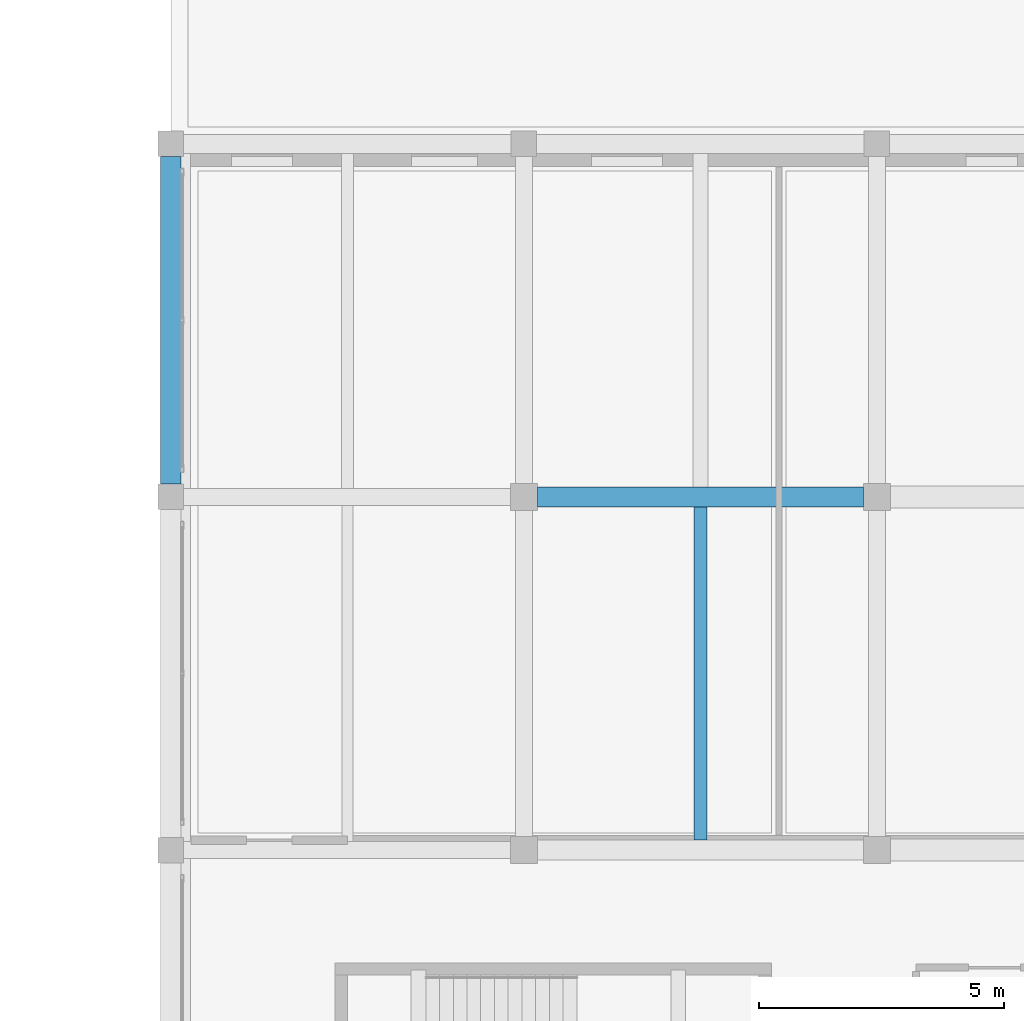
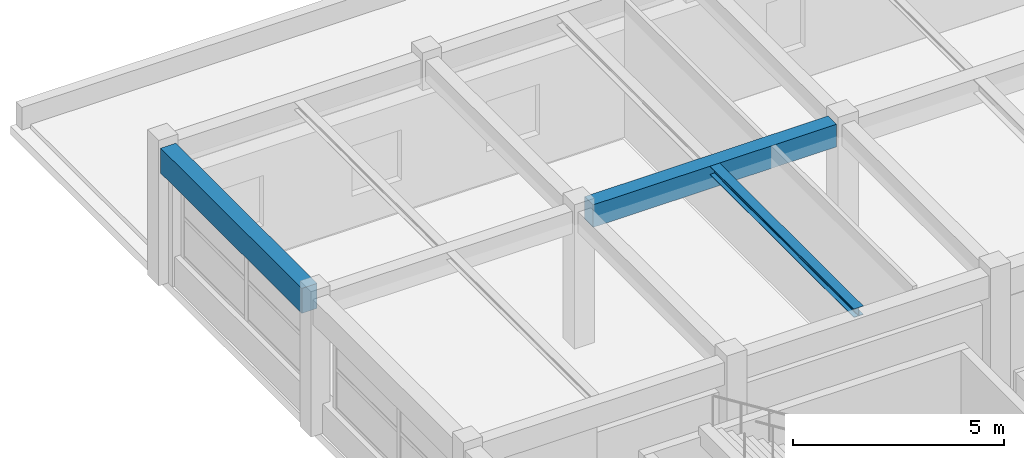
# One storey, part 37 of 67: 3 beams.
"""IFC4 building model written with IfcOpenShell, lengths in metres."""

from ifc_helpers import new_model, si_unit, direction, frame, origin, origin_2d, place, context, subcontext, project, spatial, rectangle, i_section, extrude, material, material_profile, profile_set, type_object, element, save


model = new_model("IFC4")

# Units and contexts
model_context = context("Model", 3, precision=1e-05, world=origin(), true_north=direction((0.0, 1.0)))
body_context = subcontext(model_context, "Body", "Model", "MODEL_VIEW")
ifc_project = project(units=[si_unit("LENGTHUNIT", "METRE"), si_unit("AREAUNIT", "SQUARE_METRE"), si_unit("VOLUMEUNIT", "CUBIC_METRE"), si_unit("PLANEANGLEUNIT", "RADIAN"), si_unit("MASSUNIT", "GRAM", prefix="KILO")], contexts=[model_context])

# Site, building, storey
site_placement = place(None, origin())
site = spatial("IfcSite", under=ifc_project, at=site_placement, CompositionType="ELEMENT")
building_placement = place(site_placement, origin())
building = spatial("IfcBuilding", under=site, at=building_placement, Name="Bramveld Media Centre", CompositionType="ELEMENT")
storey_placement = place(building_placement, frame((0.0, 0.0, 5.39990234375)))
storey = spatial("IfcBuildingStorey", under=building, at=storey_placement, Name="L01", CompositionType="ELEMENT", Elevation=5.39990234375)

# Beams
ifc_material_1 = material(Name="Concrete C40/50", Category="concrete")
ifc_material_profile_1 = material_profile(ifc_material_1, rectangle(XDim=0.39990234375, YDim=0.64990234375, at=origin_2d()), Name="RC 400x650")
ifc_profile_set_1 = profile_set([ifc_material_profile_1], Name="Concrete C40/50")
beam_type_1 = type_object("IfcBeamType", Name="BM-INT-RC-400x650", PredefinedType="BEAM", material=ifc_profile_set_1)
beam_1_placement = place(storey_placement, frame((138.675048828125, 53.60009765625, 3.635009765625), z_axis=(1.0, 0.0, 0.0), x_axis=(0.0, 1.0, 0.0)))
element("IfcBeam", 1, at=beam_1_placement, inside=storey, type_object=beam_type_1, Name="V4 L01 girder X-528", PredefinedType="BEAM", context=body_context, shape_type="SweptSolid", body=[
    extrude(rectangle(XDim=0.39990234375, YDim=0.64990234375, at=origin_2d()), origin(), (0.0, 0.0, 1.0), 6.64990234375),
])
ifc_material_2 = material(Name="Steel S355J2", Category="steel")
ifc_material_profile_2 = material_profile(ifc_material_2, i_section(OverallWidth=0.260009765625, OverallDepth=0.25, WebThickness=0.007568359375, FlangeThickness=0.012451171875, FilletRadius=0.02392578125, at=origin_2d()), Name="HEA 260")
ifc_profile_set_2 = profile_set([ifc_material_profile_2], Name="Steel S355J2")
beam_type_2 = type_object("IfcBeamType", Name="SBM-INT-HEA-260", PredefinedType="BEAM", material=ifc_profile_set_2)
beam_2_placement = place(storey_placement, frame((142.0, 46.60009765625, 3.835205078125), z_axis=(0.0, 1.0, 0.0), x_axis=(-1.0, 0.0, 0.0)))
element("IfcBeam", 2, at=beam_2_placement, inside=storey, type_object=beam_type_2, Name="V4 L01 secondary floor joist 555", PredefinedType="BEAM", context=body_context, shape_type="SweptSolid", body=[
    extrude(i_section(OverallWidth=0.260009765625, OverallDepth=0.25, WebThickness=0.007568359375, FlangeThickness=0.012451171875, FilletRadius=0.02392578125, at=origin_2d()), origin(), (0.0, 0.0, 1.0), 6.7998046875),
])
ifc_material_3 = material(Name="Concrete C40/50", Category="concrete")
ifc_material_profile_3 = material_profile(ifc_material_3, rectangle(XDim=0.419921875, YDim=0.719970703125, at=origin_2d()), Name="RC 420x720")
ifc_profile_set_3 = profile_set([ifc_material_profile_3], Name="Concrete C40/50")
beam_type_3 = type_object("IfcBeamType", Name="SPANDREL-EXT-RC-420x720", PredefinedType="SPANDREL", material=ifc_profile_set_3)
beam_3_placement = place(storey_placement, frame((131.199951171875, 53.860107421875, 3.60009765625), z_axis=(0.0, 1.0, 0.0), x_axis=(-1.0, 0.0, 0.0)))
element("IfcBeam", 3, at=beam_3_placement, inside=storey, type_object=beam_type_3, Name="V4 L01 girder Y-539", PredefinedType="SPANDREL", context=body_context, shape_type="SweptSolid", body=[
    extrude(rectangle(XDim=0.419921875, YDim=0.719970703125, at=origin_2d()), origin(), (0.0, 0.0, 1.0), 6.679931640625),
])

save(model, "model.ifc")
